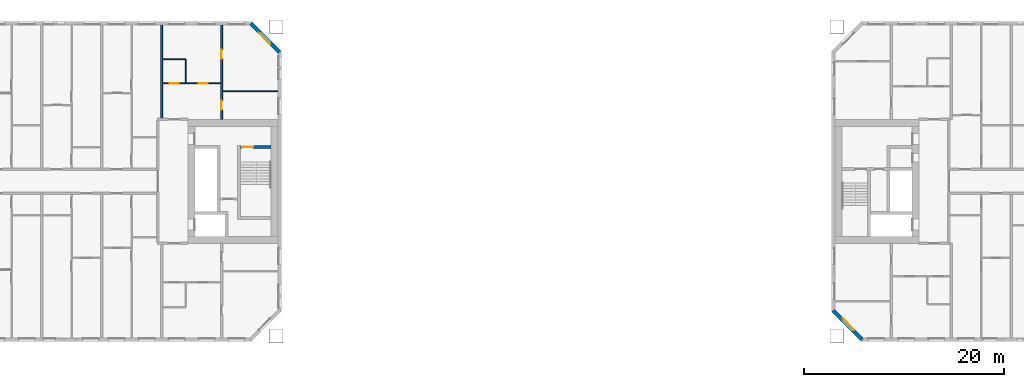
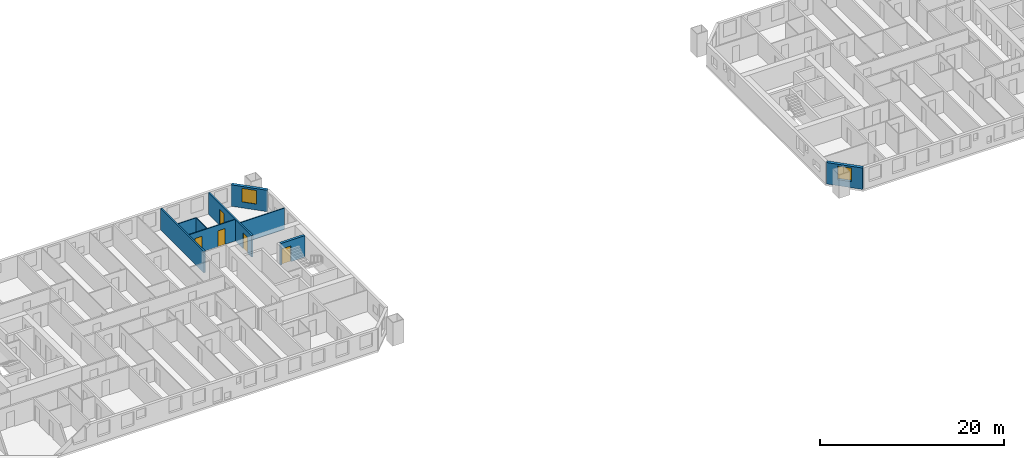
# One storey, part 8 of 17: 9 walls, 5 doors, 2 windows, 7 openings.
"""IFC4 building model written with IfcOpenShell, lengths in metres."""

from ifc_helpers import new_model, si_unit, direction, frame, frame_2d, origin, place, context, subcontext, project, spatial, rectangle, extrude, material, layer, layer_set, type_object, element, fill, save


model = new_model("IFC4")

# Units and contexts
model_context = context("Model", 3, precision=1e-05, world=origin(), true_north=direction((0.0, 1.0)))
body_context = subcontext(model_context, "Body", "Model", "MODEL_VIEW")
ifc_project = project(units=[si_unit("LENGTHUNIT", "METRE"), si_unit("AREAUNIT", "SQUARE_METRE"), si_unit("VOLUMEUNIT", "CUBIC_METRE"), si_unit("PLANEANGLEUNIT", "RADIAN"), si_unit("MASSUNIT", "GRAM", prefix="KILO")], contexts=[model_context])

# Site, building, storey
site_placement = place(None, origin())
site = spatial("IfcSite", under=ifc_project, at=site_placement, CompositionType="ELEMENT")
building_placement = place(site_placement, origin())
building = spatial("IfcBuilding", under=site, at=building_placement, Name="Tuart Gate Housing", CompositionType="ELEMENT")
storey_placement = place(building_placement, frame((0.0, 0.0, 84.0)))
storey = spatial("IfcBuildingStorey", under=building, at=storey_placement, Name="L23", CompositionType="ELEMENT", Elevation=84.0)

# Wall, opening, window
ifc_material_1 = material(Name="Brick", Category="masonry")
ifc_layer_1 = layer(ifc_material_1, 0.360107421875)
ifc_layer_set_1 = layer_set([ifc_layer_1], Name="Brick pier and spandrel wall 360")
wall_type_1 = type_object("IfcWallType", Name="Brick pier and spandrel wall 360", PredefinedType="STANDARD", material=ifc_layer_set_1)
wall_1_placement = place(storey_placement, frame((75.820068359375, 82.92529296875, 0.0), z_axis=(0.0, 0.0, 1.0), x_axis=(-0.707106781187, 0.707106781187, 0.0)))
wall_1 = element("IfcWall", 1, at=wall_1_placement, inside=storey, type_object=wall_type_1, Name="External wall A-NE L23", PredefinedType="STANDARD", context=body_context, shape_type="SweptSolid", body=[
    extrude(rectangle(XDim=4.09375, YDim=0.360107421875, at=frame_2d((2.046875, 0.0))), origin(), (0.0, 0.0, 1.0), 2.85009765625),
])
opening_1_placement = place(wall_1_placement, frame((1.2470703125, 0.0, 0.800048828125)))
opening_1 = element("IfcOpeningElement", 2, at=opening_1_placement, cuts=wall_1, Name="Opening W1", PredefinedType="OPENING", context=body_context, shape_type="SweptSolid", body=[
    extrude(rectangle(XDim=1.60009765625, YDim=1.800048828125, at=frame_2d((0.800048828125, 0.89990234375))), frame((0.0, 0.18994140625, 0.0), z_axis=(0.0, -1.0, 0.0), x_axis=(1.0, 0.0, 0.0)), (0.0, 0.0, 1.0), 0.380126953125),
])
ifc_material_2 = material(Name="Aluminium frame with clear glass", Category="aluminium")
window_type = type_object("IfcWindowType", Name="Punched window 1600 x 1800", PartitioningType="SINGLE_PANEL", PredefinedType="WINDOW", material=ifc_material_2)
window_1_placement = place(opening_1_placement, origin())
window_1 = element("IfcWindow", 3, at=window_1_placement, inside=storey, type_object=window_type, Name="Window W1", OverallHeight=1.800048828125, OverallWidth=1.60009765625, PartitioningType="SINGLE_PANEL", PredefinedType="WINDOW", context=body_context, shape_type="SweptSolid", body=[
    extrude(rectangle(XDim=1.60009765625, YDim=1.800048828125, at=frame_2d((0.800048828125, 0.89990234375))), frame((0.0, 0.150146484375, 0.0), z_axis=(0.0, -1.0, 0.0), x_axis=(1.0, 0.0, 0.0)), (0.0, 0.0, 1.0), 0.06005859375),
])
fill(opening_1, window_1)

wall_2_placement = place(storey_placement, frame((131.179931640625, 57.07470703125, 0.0), z_axis=(0.0, 0.0, 1.0), x_axis=(0.707106781187, -0.707106781187, 0.0)))
wall_2 = element("IfcWall", 4, at=wall_2_placement, inside=storey, type_object=wall_type_1, Name="External wall B-SW L23", PredefinedType="STANDARD", context=body_context, shape_type="SweptSolid", body=[
    extrude(rectangle(XDim=4.09375, YDim=0.360107421875, at=frame_2d((2.046875, 0.0))), origin(), (0.0, 0.0, 1.0), 2.85009765625),
])
opening_2_placement = place(wall_2_placement, frame((1.2470703125, 0.0, 0.800048828125)))
opening_2 = element("IfcOpeningElement", 5, at=opening_2_placement, cuts=wall_2, Name="Opening W1", PredefinedType="OPENING", context=body_context, shape_type="SweptSolid", body=[
    extrude(rectangle(XDim=1.60009765625, YDim=1.800048828125, at=frame_2d((0.800048828125, 0.89990234375))), frame((0.0, 0.18994140625, 0.0), z_axis=(0.0, -1.0, 0.0), x_axis=(1.0, 0.0, 0.0)), (0.0, 0.0, 1.0), 0.380126953125),
])
window_2_placement = place(opening_2_placement, origin())
window_2 = element("IfcWindow", 6, at=window_2_placement, inside=storey, type_object=window_type, Name="Window W1", OverallHeight=1.800048828125, OverallWidth=1.60009765625, PartitioningType="SINGLE_PANEL", PredefinedType="WINDOW", context=body_context, shape_type="SweptSolid", body=[
    extrude(rectangle(XDim=1.60009765625, YDim=1.800048828125, at=frame_2d((0.800048828125, 0.89990234375))), frame((0.0, 0.150146484375, 0.0), z_axis=(0.0, -1.0, 0.0), x_axis=(1.0, 0.0, 0.0)), (0.0, 0.0, 1.0), 0.06005859375),
])
fill(opening_2, window_2)

# Wall, opening, door
ifc_material_3 = material(Name="Concrete C50", Category="concrete")
ifc_layer_2 = layer(ifc_material_3, 0.300048828125)
ifc_layer_set_2 = layer_set([ifc_layer_2], Name="Core wall 300 C50")
wall_type_2 = type_object("IfcWallType", Name="Core wall 300 C50", PredefinedType="SHEAR", material=ifc_layer_set_2)
wall_3_placement = place(storey_placement, frame((71.889892578125, 73.449951171875, 0.0), z_axis=(0.0, 0.0, 1.0), x_axis=(1.0, 0.0, 0.0)))
wall_3 = element("IfcWall", 7, at=wall_3_placement, inside=storey, type_object=wall_type_2, Name="Core wall AG.5", PredefinedType="SHEAR", context=body_context, shape_type="SweptSolid", body=[
    extrude(rectangle(XDim=3.050048828125, YDim=0.300048828125, at=frame_2d((1.52490234375, 0.0))), origin(), (0.0, 0.0, 1.0), 2.85009765625),
])
opening_3_placement = place(wall_3_placement, frame((0.169921875, 0.0, 0.0)))
opening_3 = element("IfcOpeningElement", 8, at=opening_3_placement, cuts=wall_3, Name="Opening D974", PredefinedType="OPENING", context=body_context, shape_type="SweptSolid", body=[
    extrude(rectangle(XDim=1.10009765625, YDim=2.10009765625, at=frame_2d((0.550048828125, 1.050048828125))), frame((0.0, 0.159912109375, 0.0), z_axis=(0.0, -1.0, 0.0), x_axis=(1.0, 0.0, 0.0)), (0.0, 0.0, 1.0), 0.320068359375),
])
ifc_material_4 = material(Name="Steel fire door", Category="steel")
door_type_1 = type_object("IfcDoorType", Name="Stair door 1100 x 2100 RH", OperationType="SINGLE_SWING_RIGHT", PredefinedType="DOOR", material=ifc_material_4)
door_1_placement = place(opening_3_placement, frame((1.10009765625, 0.0, 0.0), z_axis=(0.0, 0.0, 1.0), x_axis=(-1.0, 0.0, 0.0)))
door_1 = element("IfcDoor", 9, at=door_1_placement, inside=storey, type_object=door_type_1, Name="Stair door AG.SD", OperationType="SINGLE_SWING_RIGHT", OverallHeight=2.10009765625, OverallWidth=1.10009765625, PredefinedType="DOOR", context=body_context, shape_type="SweptSolid", body=[
    extrude(rectangle(XDim=1.10009765625, YDim=2.10009765625, at=frame_2d((0.550048828125, 1.050048828125))), frame((0.0, 0.025146484375, 0.0), z_axis=(0.0, -1.0, 0.0), x_axis=(1.0, 0.0, 0.0)), (0.0, 0.0, 1.0), 0.050048828125),
])
fill(opening_3, door_1)

# Wall
ifc_material_5 = material(Name="Gypsum board on steel studs", Category="steel")
ifc_layer_3 = layer(ifc_material_5, 0.10009765625)
ifc_layer_set_3 = layer_set([ifc_layer_3], Name="Partition 100")
wall_type_3 = type_object("IfcWallType", Name="Partition 100", PredefinedType="PARTITIONING", material=ifc_layer_set_3)
wall_4_placement = place(storey_placement, frame((70.10009765625, 79.0, 0.0), z_axis=(0.0, 0.0, 1.0), x_axis=(1.0, 0.0, 0.0)))
element("IfcWall", 10, at=wall_4_placement, inside=storey, type_object=wall_type_3, Name="Partition 100", PredefinedType="PARTITIONING", context=body_context, shape_type="SweptSolid", body=[
    extrude(rectangle(XDim=5.539794921875, YDim=0.10009765625, at=frame_2d((2.77001953125, 0.0))), origin(), (0.0, 0.0, 1.0), 2.85009765625),
])

# Wall, openings, doors
wall_5_placement = place(storey_placement, frame((64.10009765625, 79.800048828125, 0.0), z_axis=(0.0, 0.0, 1.0), x_axis=(1.0, 0.0, 0.0)))
wall_5 = element("IfcWall", 11, at=wall_5_placement, inside=storey, type_object=wall_type_3, Name="Partition 100", PredefinedType="PARTITIONING", context=body_context, shape_type="SweptSolid", body=[
    extrude(rectangle(XDim=5.7998046875, YDim=0.10009765625, at=frame_2d((2.89990234375, 0.0))), origin(), (0.0, 0.0, 1.0), 2.85009765625),
])
opening_4_placement = place(wall_5_placement, frame((3.60009765625, 0.0, 0.0)))
opening_4 = element("IfcOpeningElement", 12, at=opening_4_placement, cuts=wall_5, Name="Opening D958", PredefinedType="OPENING", context=body_context, shape_type="SweptSolid", body=[
    extrude(rectangle(XDim=0.89990234375, YDim=2.10009765625, at=frame_2d((0.449951171875, 1.050048828125))), frame((0.0, 0.06005859375, 0.0), z_axis=(0.0, -1.0, 0.0), x_axis=(1.0, 0.0, 0.0)), (0.0, 0.0, 1.0), 0.1201171875),
])
opening_5_placement = place(wall_5_placement, frame((0.699951171875, 0.0, 0.0)))
opening_5 = element("IfcOpeningElement", 13, at=opening_5_placement, cuts=wall_5, Name="Opening D957", PredefinedType="OPENING", context=body_context, shape_type="SweptSolid", body=[
    extrude(rectangle(XDim=0.89990234375, YDim=2.10009765625, at=frame_2d((0.449951171875, 1.050048828125))), frame((0.0, 0.06005859375, 0.0), z_axis=(0.0, -1.0, 0.0), x_axis=(1.0, 0.0, 0.0)), (0.0, 0.0, 1.0), 0.1201171875),
])
ifc_material_6 = material(Name="Timber door leaf in steel frame", Category="steel")
door_type_2 = type_object("IfcDoorType", Name="Bathroom door 900 RH", OperationType="SINGLE_SWING_RIGHT", PredefinedType="DOOR", material=ifc_material_6)
door_2_placement = place(opening_5_placement, origin())
door_2 = element("IfcDoor", 14, at=door_2_placement, inside=storey, type_object=door_type_2, Name="Bathroom door", OperationType="SINGLE_SWING_RIGHT", OverallHeight=2.10009765625, OverallWidth=0.89990234375, PredefinedType="DOOR", context=body_context, shape_type="SweptSolid", body=[
    extrude(rectangle(XDim=0.89990234375, YDim=2.10009765625, at=frame_2d((0.449951171875, 1.050048828125))), frame((0.0, 0.02490234375, 0.0), z_axis=(0.0, -1.0, 0.0), x_axis=(1.0, 0.0, 0.0)), (0.0, 0.0, 1.0), 0.050048828125),
])
fill(opening_5, door_2)
ifc_material_7 = material(Name="Timber door leaf in steel frame", Category="steel")
door_type_3 = type_object("IfcDoorType", Name="Internal door 900", OperationType="SINGLE_SWING_LEFT", PredefinedType="DOOR", material=ifc_material_7)
door_3_placement = place(opening_4_placement, frame((0.89990234375, 0.0, 0.0), z_axis=(0.0, 0.0, 1.0), x_axis=(-1.0, 0.0, 0.0)))
door_3 = element("IfcDoor", 15, at=door_3_placement, inside=storey, type_object=door_type_3, Name="Internal door", OperationType="SINGLE_SWING_LEFT", OverallHeight=2.10009765625, OverallWidth=0.89990234375, PredefinedType="DOOR", context=body_context, shape_type="SweptSolid", body=[
    extrude(rectangle(XDim=0.89990234375, YDim=2.10009765625, at=frame_2d((0.449951171875, 1.050048828125))), frame((0.0, 0.025146484375, 0.0), z_axis=(0.0, -1.0, 0.0), x_axis=(1.0, 0.0, 0.0)), (0.0, 0.0, 1.0), 0.050048828125),
])
fill(opening_4, door_3)

# Walls
for number, where, z_axis, x_axis, name in (
    (16, (64.10009765625, 82.199951171875, 0.0), (0.0, 0.0, 1.0), (1.0, 0.0, 0.0), "Partition 100"),
    (17, (66.39990234375, 79.85009765625, 0.0), (0.0, 0.0, 1.0), (0.0, 1.0, 0.0), "Partition 100"),
):
    element("IfcWall", number, at=place(storey_placement, frame(where, z_axis=z_axis, x_axis=x_axis)), inside=storey, type_object=wall_type_3, Name=name, PredefinedType="PARTITIONING", context=body_context, shape_type="SweptSolid", body=[
        extrude(rectangle(XDim=2.2998046875, YDim=0.10009765625, at=frame_2d((1.14990234375, 0.0))), origin(), (0.0, 0.0, 1.0), 2.85009765625),
    ])
ifc_material_8 = material(Name="Concrete C40", Category="concrete")
ifc_layer_4 = layer(ifc_material_8, 0.199951171875)
ifc_layer_set_4 = layer_set([ifc_layer_4], Name="Party wall concrete C40 200")
wall_type_4 = type_object("IfcWallType", Name="Party wall concrete C40 200", PredefinedType="SOLIDWALL", material=ifc_layer_set_4)
wall_6_placement = place(storey_placement, frame((64.0, 76.199951171875, 0.0), z_axis=(0.0, 0.0, 1.0), x_axis=(0.0, 1.0, 0.0)))
element("IfcWall", 18, at=wall_6_placement, inside=storey, type_object=wall_type_4, Name="Party wall concrete C40 200", PredefinedType="SOLIDWALL", context=body_context, shape_type="SweptSolid", body=[
    extrude(rectangle(XDim=9.43994140625, YDim=0.199951171875, at=frame_2d((4.719970703125, 0.0))), origin(), (0.0, 0.0, 1.0), 2.85009765625),
])

# Wall, openings, doors
wall_7_placement = place(storey_placement, frame((70.0, 76.199951171875, 0.0), z_axis=(0.0, 0.0, 1.0), x_axis=(0.0, 1.0, 0.0)))
wall_7 = element("IfcWall", 19, at=wall_7_placement, inside=storey, type_object=wall_type_4, Name="Party wall concrete C40 200", PredefinedType="SOLIDWALL", context=body_context, shape_type="SweptSolid", body=[
    extrude(rectangle(XDim=9.43994140625, YDim=0.199951171875, at=frame_2d((4.719970703125, 0.0))), origin(), (0.0, 0.0, 1.0), 2.85009765625),
])
opening_6_placement = place(wall_7_placement, frame((6.070068359375, 0.0, 0.0)))
opening_6 = element("IfcOpeningElement", 20, at=opening_6_placement, cuts=wall_7, Name="Opening D955", PredefinedType="OPENING", context=body_context, shape_type="SweptSolid", body=[
    extrude(rectangle(XDim=0.89990234375, YDim=2.10009765625, at=frame_2d((0.449951171875, 1.050048828125))), frame((0.0, 0.10986328125, 0.0), z_axis=(0.0, -1.0, 0.0), x_axis=(1.0, 0.0, 0.0)), (0.0, 0.0, 1.0), 0.219970703125),
])
opening_7_placement = place(wall_7_placement, frame((0.949951171875, 0.0, 0.0)))
opening_7 = element("IfcOpeningElement", 21, at=opening_7_placement, cuts=wall_7, Name="Opening D956", PredefinedType="OPENING", context=body_context, shape_type="SweptSolid", body=[
    extrude(rectangle(XDim=0.89990234375, YDim=2.10009765625, at=frame_2d((0.449951171875, 1.050048828125))), frame((0.0, 0.10986328125, 0.0), z_axis=(0.0, -1.0, 0.0), x_axis=(1.0, 0.0, 0.0)), (0.0, 0.0, 1.0), 0.219970703125),
])
door_4_placement = place(opening_6_placement, frame((0.89990234375, 0.0, 0.0), z_axis=(0.0, 0.0, 1.0), x_axis=(-1.0, 0.0, 0.0)))
door_4 = element("IfcDoor", 22, at=door_4_placement, inside=storey, type_object=door_type_3, Name="Internal door", OperationType="SINGLE_SWING_LEFT", OverallHeight=2.10009765625, OverallWidth=0.89990234375, PredefinedType="DOOR", context=body_context, shape_type="SweptSolid", body=[
    extrude(rectangle(XDim=0.89990234375, YDim=2.10009765625, at=frame_2d((0.449951171875, 1.050048828125))), frame((0.0, 0.025146484375, 0.0), z_axis=(0.0, -1.0, 0.0), x_axis=(1.0, 0.0, 0.0)), (0.0, 0.0, 1.0), 0.050048828125),
])
fill(opening_6, door_4)
ifc_material_9 = material(Name="Timber door leaf in steel frame", Category="steel")
door_type_4 = type_object("IfcDoorType", Name="Internal door 900 RH", OperationType="SINGLE_SWING_RIGHT", PredefinedType="DOOR", material=ifc_material_9)
door_5_placement = place(opening_7_placement, frame((0.89990234375, 0.0, 0.0), z_axis=(0.0, 0.0, 1.0), x_axis=(-1.0, 0.0, 0.0)))
door_5 = element("IfcDoor", 23, at=door_5_placement, inside=storey, type_object=door_type_4, Name="Internal door", OperationType="SINGLE_SWING_RIGHT", OverallHeight=2.10009765625, OverallWidth=0.89990234375, PredefinedType="DOOR", context=body_context, shape_type="SweptSolid", body=[
    extrude(rectangle(XDim=0.89990234375, YDim=2.10009765625, at=frame_2d((0.449951171875, 1.050048828125))), frame((0.0, 0.025146484375, 0.0), z_axis=(0.0, -1.0, 0.0), x_axis=(1.0, 0.0, 0.0)), (0.0, 0.0, 1.0), 0.050048828125),
])
fill(opening_7, door_5)

save(model, "model.ifc")
